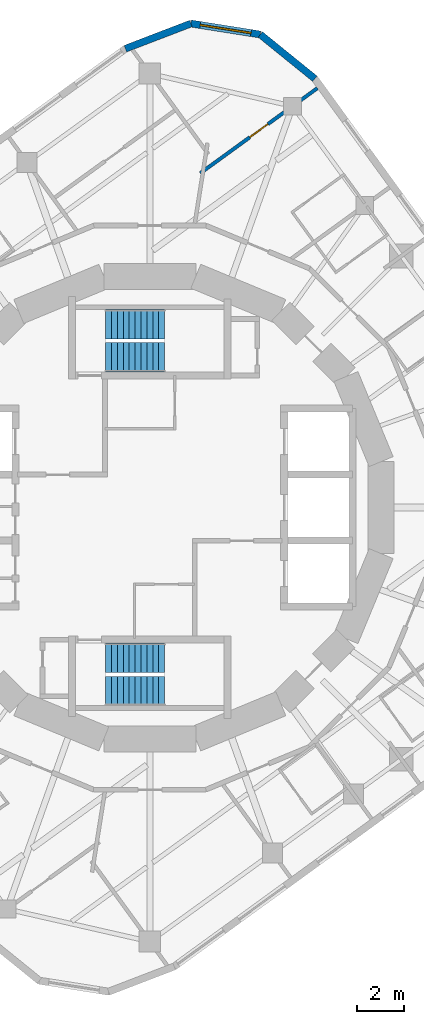
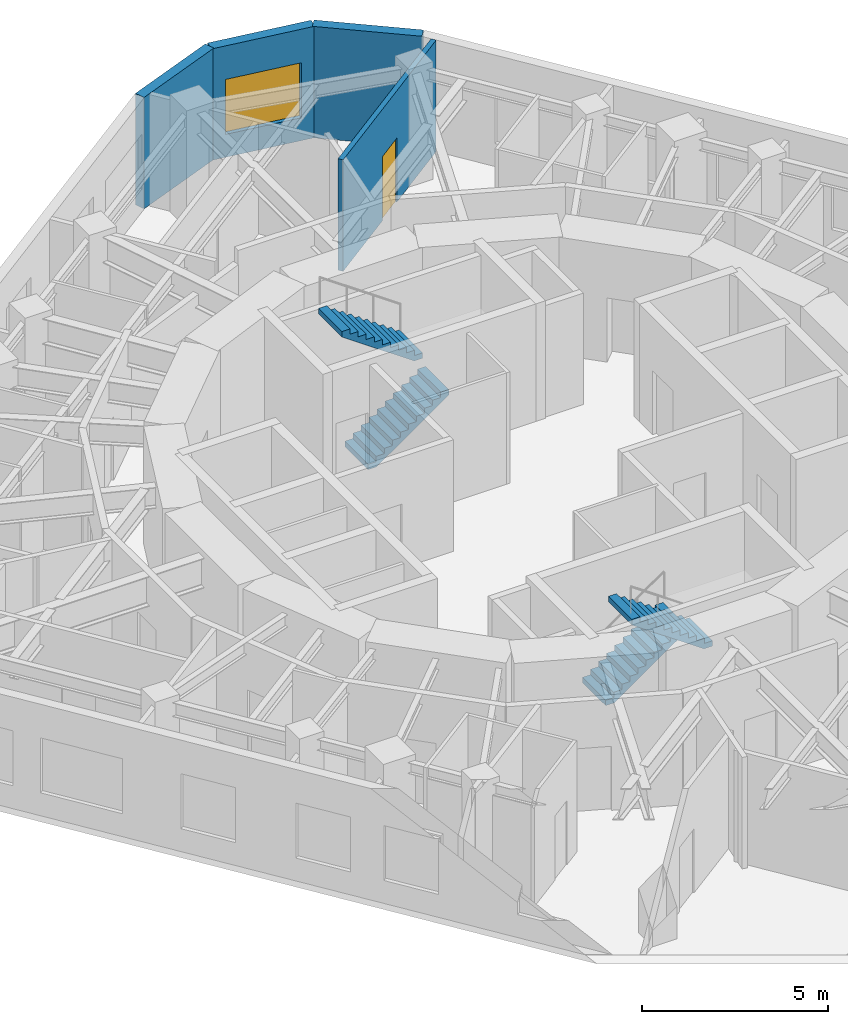
# One storey, part 8 of 9: 4 stair flights, 4 walls, 1 door, 1 window, 2 openings, 2 elements without a shape of their own.
"""IFC4 building model written with IfcOpenShell, lengths in metres."""

from ifc_helpers import new_model, si_unit, direction, frame, frame_2d, origin, place, context, subcontext, project, spatial, polyline, rectangle, outline, extrude, material, layer, layer_set, type_object, element, fill, aggregate, save


model = new_model("IFC4")

# Units and contexts
model_context = context("Model", 3, precision=1e-05, world=origin(), true_north=direction((0.0, 1.0)))
body_context = subcontext(model_context, "Body", "Model", "MODEL_VIEW")
ifc_project = project(units=[si_unit("LENGTHUNIT", "METRE"), si_unit("AREAUNIT", "SQUARE_METRE"), si_unit("VOLUMEUNIT", "CUBIC_METRE"), si_unit("PLANEANGLEUNIT", "RADIAN"), si_unit("MASSUNIT", "GRAM", prefix="KILO")], contexts=[model_context])

# Site, building, storey
site_placement = place(None, origin())
site = spatial("IfcSite", under=ifc_project, at=site_placement, CompositionType="ELEMENT")
building_placement = place(site_placement, origin())
building = spatial("IfcBuilding", under=site, at=building_placement, Name="Nakasero Lantern House", CompositionType="ELEMENT")
storey_placement = place(building_placement, frame((0.0, 0.0, 286.85009765625)))
storey = spatial("IfcBuildingStorey", under=building, at=storey_placement, Name="L70", CompositionType="ELEMENT", Elevation=286.85009765625)

# Wall
ifc_material_1 = material(Name="Aluminium rainscreen on blockwork", Category="masonry")
ifc_layer_1 = layer(ifc_material_1, 0.300048828125)
ifc_layer_set_1 = layer_set([ifc_layer_1], Name="Facade wall 300")
wall_type_1 = type_object("IfcWallType", Name="Facade wall 300", PredefinedType="SOLIDWALL", material=ifc_layer_set_1)
wall_1_placement = place(storey_placement, frame((6.996826171875, 18.185791015625, 0.0), z_axis=(0.0, 0.0, 1.0), x_axis=(-0.777101588319, 0.629375183362, 0.0)))
element("IfcWall", 1, at=wall_1_placement, inside=storey, type_object=wall_type_1, Name="Facade wall L70 FW0C1", PredefinedType="SOLIDWALL", context=body_context, shape_type="SweptSolid", body=[
    extrude(rectangle(XDim=2.976318359375, YDim=0.300048828125, at=frame_2d((1.48828125, 0.0))), origin(), (0.0, 0.0, 1.0), 3.64990234375),
])

# Wall, opening, window
wall_2_placement = place(storey_placement, frame((4.683837890625, 20.05908203125, 0.0), z_axis=(0.0, 0.0, 1.0), x_axis=(-0.987691704133, 0.156413227021, 0.0)))
wall_2 = element("IfcWall", 2, at=wall_2_placement, inside=storey, type_object=wall_type_1, Name="Facade wall L70 FW0C2", PredefinedType="SOLIDWALL", context=body_context, shape_type="SweptSolid", body=[
    extrude(rectangle(XDim=2.9765625, YDim=0.300048828125, at=frame_2d((1.48828125, 0.0))), origin(), (0.0, 0.0, 1.0), 3.64990234375),
])
opening_1_placement = place(wall_2_placement, frame((0.39990234375, 0.0, 0.75)))
opening_1 = element("IfcOpeningElement", 3, at=opening_1_placement, cuts=wall_2, Name="Opening W221", PredefinedType="OPENING", context=body_context, shape_type="SweptSolid", body=[
    extrude(rectangle(XDim=2.176025390625, YDim=1.800048828125, at=frame_2d((1.087890625, 0.89990234375))), frame((0.0, 0.169921875, 0.0), z_axis=(0.0, -1.0, 0.0), x_axis=(1.0, 0.0, 0.0)), (0.0, 0.0, 1.0), 0.340087890625),
])
ifc_material_2 = material(Name="Aluminium 6063-T6 and glass", Category="aluminium")
window_type = type_object("IfcWindowType", Name="Corner window 2176x1800", PartitioningType="SINGLE_PANEL", PredefinedType="WINDOW", material=ifc_material_2)
window_placement = place(opening_1_placement, origin())
window = element("IfcWindow", 4, at=window_placement, inside=storey, type_object=window_type, Name="Window L70 WC0", OverallHeight=1.800048828125, OverallWidth=2.176025390625, PartitioningType="SINGLE_PANEL", PredefinedType="WINDOW", context=body_context, shape_type="SweptSolid", body=[
    extrude(rectangle(XDim=2.176025390625, YDim=1.800048828125, at=frame_2d((1.087890625, 0.89990234375))), frame((0.0, 0.030029296875, 0.0), z_axis=(0.0, -1.0, 0.0), x_axis=(1.0, 0.0, 0.0)), (0.0, 0.0, 1.0), 0.06005859375),
])
fill(opening_1, window)

# Wall
wall_3_placement = place(storey_placement, frame((1.743896484375, 20.524658203125, 0.0), z_axis=(0.0, 0.0, 1.0), x_axis=(-0.933573745966, -0.35838535244, 0.0)))
element("IfcWall", 5, at=wall_3_placement, inside=storey, type_object=wall_type_1, Name="Facade wall L70 FW0C3", PredefinedType="SOLIDWALL", context=body_context, shape_type="SweptSolid", body=[
    extrude(rectangle(XDim=2.976318359375, YDim=0.300048828125, at=frame_2d((1.48828125, 0.0))), origin(), (0.0, 0.0, 1.0), 3.64990234375),
])

# Wall, opening, door
ifc_material_3 = material(Name="Blockwork", Category="masonry")
ifc_layer_2 = layer(ifc_material_3, 0.14990234375)
ifc_layer_set_2 = layer_set([ifc_layer_2], Name="Party wall 150")
wall_type_2 = type_object("IfcWallType", Name="Party wall 150", PredefinedType="PARTITIONING", material=ifc_layer_set_2)
wall_4_placement = place(storey_placement, frame((2.137939453125, 14.1767578125, 0.0), z_axis=(0.0, 0.0, 1.0), x_axis=(0.809024975628, 0.587774266883, 0.0)))
wall_4 = element("IfcWall", 6, at=wall_4_placement, inside=storey, type_object=wall_type_2, Name="Party wall L70 PW0-07", PredefinedType="PARTITIONING", context=body_context, shape_type="SweptSolid", body=[
    extrude(rectangle(XDim=6.137451171875, YDim=0.14990234375, at=frame_2d((3.06884765625, 0.0))), origin(), (0.0, 0.0, 1.0), 3.64990234375),
])
opening_2_placement = place(wall_4_placement, frame((2.60009765625, 0.0, 0.0)))
opening_2 = element("IfcOpeningElement", 7, at=opening_2_placement, cuts=wall_4, Name="Opening D01", PredefinedType="OPENING", context=body_context, shape_type="SweptSolid", body=[
    extrude(rectangle(XDim=0.949951171875, YDim=2.10009765625, at=frame_2d((0.47509765625, 1.050048828125))), frame((0.0, 0.094970703125, 0.0), z_axis=(0.0, -1.0, 0.0), x_axis=(1.0, 0.0, 0.0)), (0.0, 0.0, 1.0), 0.18994140625),
])
ifc_material_4 = material(Name="Timber C24", Category="wood")
door_type = type_object("IfcDoorType", Name="Bedroom door FD30S 950", OperationType="SINGLE_SWING_LEFT", PredefinedType="DOOR", material=ifc_material_4)
door_placement = place(opening_2_placement, origin())
door = element("IfcDoor", 8, at=door_placement, inside=storey, type_object=door_type, Name="Door L70 DC0", OperationType="SINGLE_SWING_RIGHT", OverallHeight=2.10009765625, OverallWidth=0.949951171875, PredefinedType="DOOR", context=body_context, shape_type="SweptSolid", body=[
    extrude(rectangle(XDim=0.949951171875, YDim=2.10009765625, at=frame_2d((0.47509765625, 1.050048828125))), frame((0.0, 0.02490234375, 0.0), z_axis=(0.0, -1.0, 0.0), x_axis=(1.0, 0.0, 0.0)), (0.0, 0.0, 1.0), 0.050048828125),
])
fill(opening_2, door)

# Stair, stair flights
ifc_material_5 = material(Name="Concrete C40/50", Category="concrete")
stair_type_1 = type_object("IfcStairType", Name="Escape stair ST1 22 risers", PredefinedType="HALF_TURN_STAIR", material=ifc_material_5)
stair_1_placement = place(storey_placement, origin())
stair_1 = element("IfcStair", 9, at=stair_1_placement, inside=storey, type_object=stair_type_1, Name="Escape stair ST1 L70", PredefinedType="HALF_TURN_STAIR")
ifc_material_6 = material(Name="Concrete C40/50", Category="concrete")
stair_flight_type = type_object("IfcStairFlightType", Name="Escape stair flight", PredefinedType="STRAIGHT", material=ifc_material_6)
stair_flight_1_placement = place(storey_placement, frame((-1.875, 6.375, 0.0), z_axis=(0.0, 0.0, 1.0), x_axis=(1.0, 0.0, 0.0)))
stair_flight_1 = element("IfcStairFlight", 10, at=stair_flight_1_placement, type_object=stair_flight_type, Name="ST1 flight 1", NumberOfRisers=11, NumberOfTreads=10, PredefinedType="STRAIGHT", RiserHeight=0.175, TreadLength=0.25, context=body_context, shape_type="SweptSolid", body=[
    extrude(outline(polyline([(0.0, 0.0), (0.0, 0.175048828125), (0.25, 0.175048828125), (0.25, 0.35009765625), (0.5, 0.35009765625), (0.5, 0.52490234375), (0.75, 0.52490234375), (0.75, 0.699951171875), (1.0, 0.699951171875), (1.0, 0.875), (1.25, 0.875), (1.25, 1.050048828125), (1.5, 1.050048828125), (1.5, 1.22509765625), (1.75, 1.22509765625), (1.75, 1.39990234375), (2.0, 1.39990234375), (2.0, 1.574951171875), (2.25, 1.574951171875), (2.25, 1.75), (2.5, 1.75), (2.5, 1.925048828125), (2.5, 1.567138671875), (0.261474609375, 0.0), (0.0, 0.0)])), frame((0.0, 0.625, 0.0), z_axis=(0.0, -1.0, 0.0), x_axis=(1.0, 0.0, 0.0)), (0.0, 0.0, 1.0), 1.25),
])
stair_flight_2_placement = place(storey_placement, frame((0.625, 7.77490234375, 1.9248046875), z_axis=(0.0, 0.0, 1.0), x_axis=(-1.0, 0.0, 0.0)))
stair_flight_2 = element("IfcStairFlight", 11, at=stair_flight_2_placement, type_object=stair_flight_type, Name="ST1 flight 2", NumberOfRisers=11, NumberOfTreads=10, PredefinedType="STRAIGHT", RiserHeight=0.175, TreadLength=0.25, context=body_context, shape_type="SweptSolid", body=[
    extrude(outline(polyline([(0.0, 0.0), (0.0, 0.175048828125), (0.25, 0.175048828125), (0.25, 0.35009765625), (0.5, 0.35009765625), (0.5, 0.52490234375), (0.75, 0.52490234375), (0.75, 0.699951171875), (1.0, 0.699951171875), (1.0, 0.875), (1.25, 0.875), (1.25, 1.050048828125), (1.5, 1.050048828125), (1.5, 1.22509765625), (1.75, 1.22509765625), (1.75, 1.39990234375), (2.0, 1.39990234375), (2.0, 1.574951171875), (2.25, 1.574951171875), (2.25, 1.75), (2.5, 1.75), (2.5, 1.925048828125), (2.5, 1.567138671875), (0.261474609375, 0.0), (0.0, 0.0)])), frame((0.0, 0.625, 0.0), z_axis=(0.0, -1.0, 0.0), x_axis=(1.0, 0.0, 0.0)), (0.0, 0.0, 1.0), 1.25),
])
aggregate(stair_1, [stair_flight_1, stair_flight_2])

ifc_material_7 = material(Name="Concrete C40/50", Category="concrete")
stair_type_2 = type_object("IfcStairType", Name="Escape stair ST2 22 risers", PredefinedType="HALF_TURN_STAIR", material=ifc_material_7)
stair_2_placement = place(storey_placement, origin())
stair_2 = element("IfcStair", 12, at=stair_2_placement, inside=storey, type_object=stair_type_2, Name="Escape stair ST2 L70", PredefinedType="HALF_TURN_STAIR")
stair_flight_3_placement = place(storey_placement, frame((-1.875, -6.375, 0.0), z_axis=(0.0, 0.0, 1.0), x_axis=(1.0, 0.0, 0.0)))
stair_flight_3 = element("IfcStairFlight", 13, at=stair_flight_3_placement, type_object=stair_flight_type, Name="ST2 flight 1", NumberOfRisers=11, NumberOfTreads=10, PredefinedType="STRAIGHT", RiserHeight=0.175, TreadLength=0.25, context=body_context, shape_type="SweptSolid", body=[
    extrude(outline(polyline([(0.0, 0.0), (0.0, 0.175048828125), (0.25, 0.175048828125), (0.25, 0.35009765625), (0.5, 0.35009765625), (0.5, 0.52490234375), (0.75, 0.52490234375), (0.75, 0.699951171875), (1.0, 0.699951171875), (1.0, 0.875), (1.25, 0.875), (1.25, 1.050048828125), (1.5, 1.050048828125), (1.5, 1.22509765625), (1.75, 1.22509765625), (1.75, 1.39990234375), (2.0, 1.39990234375), (2.0, 1.574951171875), (2.25, 1.574951171875), (2.25, 1.75), (2.5, 1.75), (2.5, 1.925048828125), (2.5, 1.567138671875), (0.261474609375, 0.0), (0.0, 0.0)])), frame((0.0, 0.625, 0.0), z_axis=(0.0, -1.0, 0.0), x_axis=(1.0, 0.0, 0.0)), (0.0, 0.0, 1.0), 1.25),
])
stair_flight_4_placement = place(storey_placement, frame((0.625, -7.77490234375, 1.9248046875), z_axis=(0.0, 0.0, 1.0), x_axis=(-1.0, 0.0, 0.0)))
stair_flight_4 = element("IfcStairFlight", 14, at=stair_flight_4_placement, type_object=stair_flight_type, Name="ST2 flight 2", NumberOfRisers=11, NumberOfTreads=10, PredefinedType="STRAIGHT", RiserHeight=0.175, TreadLength=0.25, context=body_context, shape_type="SweptSolid", body=[
    extrude(outline(polyline([(0.0, 0.0), (0.0, 0.175048828125), (0.25, 0.175048828125), (0.25, 0.35009765625), (0.5, 0.35009765625), (0.5, 0.52490234375), (0.75, 0.52490234375), (0.75, 0.699951171875), (1.0, 0.699951171875), (1.0, 0.875), (1.25, 0.875), (1.25, 1.050048828125), (1.5, 1.050048828125), (1.5, 1.22509765625), (1.75, 1.22509765625), (1.75, 1.39990234375), (2.0, 1.39990234375), (2.0, 1.574951171875), (2.25, 1.574951171875), (2.25, 1.75), (2.5, 1.75), (2.5, 1.925048828125), (2.5, 1.567138671875), (0.261474609375, 0.0), (0.0, 0.0)])), frame((0.0, 0.625, 0.0), z_axis=(0.0, -1.0, 0.0), x_axis=(1.0, 0.0, 0.0)), (0.0, 0.0, 1.0), 1.25),
])
aggregate(stair_2, [stair_flight_3, stair_flight_4])

save(model, "model.ifc")
